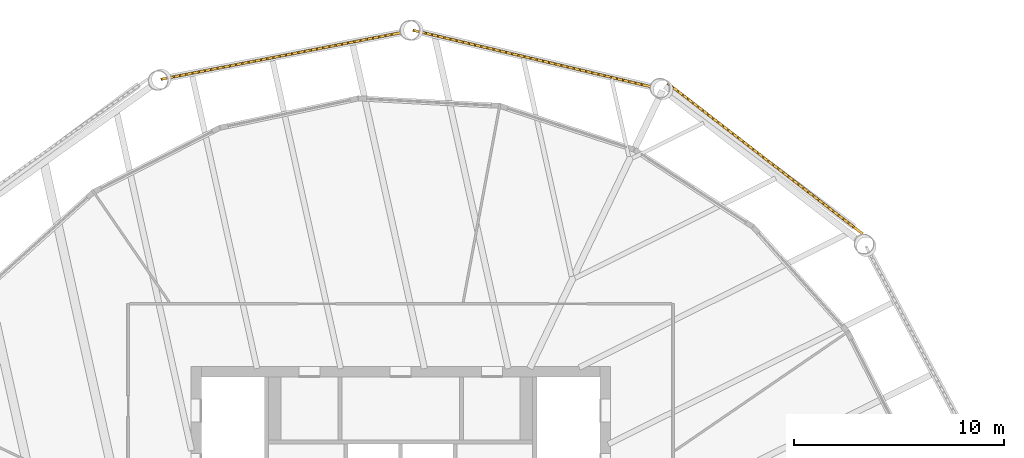
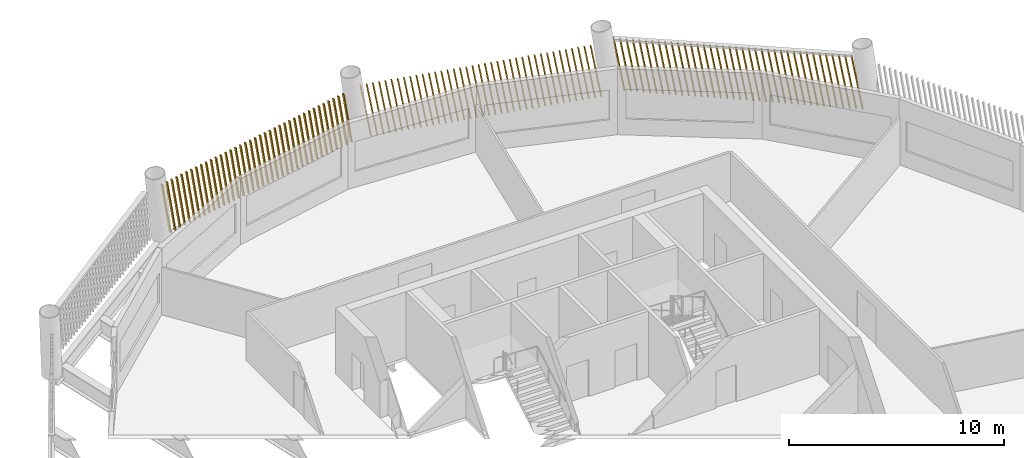
# One storey, part 13 of 14: 3 shading devices.
"""IFC4 building model written with IfcOpenShell, lengths in metres."""

from ifc_helpers import new_model, si_unit, direction, frame, frame_2d, origin, place, context, subcontext, project, spatial, rectangle, composite_profile, extrude, material, type_object, element, save


model = new_model("IFC4")

# Units and contexts
model_context = context("Model", 3, precision=1e-05, world=origin(), true_north=direction((0.0, 1.0)))
body_context = subcontext(model_context, "Body", "Model", "MODEL_VIEW")
ifc_project = project(units=[si_unit("LENGTHUNIT", "METRE"), si_unit("AREAUNIT", "SQUARE_METRE"), si_unit("VOLUMEUNIT", "CUBIC_METRE"), si_unit("PLANEANGLEUNIT", "RADIAN"), si_unit("MASSUNIT", "GRAM", prefix="KILO")], contexts=[model_context])

# Site, building, storey
site_placement = place(None, origin())
site = spatial("IfcSite", under=ifc_project, at=site_placement, CompositionType="ELEMENT")
building_placement = place(site_placement, origin())
building = spatial("IfcBuilding", under=site, at=building_placement, Name="Tarsis Ring Headquarters", CompositionType="ELEMENT")
storey_placement = place(building_placement, frame((0.0, 0.0, 335.300048828125)))
storey = spatial("IfcBuildingStorey", under=building, at=storey_placement, Name="L79", CompositionType="ELEMENT", Elevation=335.300048828125)

# Shading devices
ifc_material = material(Name="Terracotta baguette", Category="masonry")
shading_device_type = type_object("IfcShadingDeviceType", Name="Terracotta baguette screen", PredefinedType="USERDEFINED", material=ifc_material)
shading_device_1_placement = place(storey_placement, frame((22.041259765625, 19.327880859375, 0.0), z_axis=(0.0, 0.0, 1.0), x_axis=(-0.791318502442, 0.611394465545, 0.0)))
element("IfcShadingDevice", 1, at=shading_device_1_placement, inside=storey, type_object=shading_device_type, Name="Baguette screen L79-10", ObjectType="Terracotta baguette screen", PredefinedType="USERDEFINED", context=body_context, shape_type="SweptSolid", body=[
    extrude(composite_profile([rectangle(XDim=0.06005859375, YDim=0.1201171875, at=frame_2d((0.030029296875, 0.0))), rectangle(XDim=0.06005859375, YDim=0.1201171875, at=frame_2d((0.33251953125, 0.0))), rectangle(XDim=0.06005859375, YDim=0.1201171875, at=frame_2d((0.634765625, 0.0))), rectangle(XDim=0.06005859375, YDim=0.1201171875, at=frame_2d((0.937255859375, 0.0))), rectangle(XDim=0.06005859375, YDim=0.1201171875, at=frame_2d((1.239501953125, 0.0))), rectangle(XDim=0.06005859375, YDim=0.1201171875, at=frame_2d((1.5419921875, 0.0))), rectangle(XDim=0.06005859375, YDim=0.1201171875, at=frame_2d((1.844482421875, 0.0))), rectangle(XDim=0.06005859375, YDim=0.1201171875, at=frame_2d((2.146728515625, 0.0))), rectangle(XDim=0.06005859375, YDim=0.1201171875, at=frame_2d((2.44921875, 0.0))), rectangle(XDim=0.06005859375, YDim=0.1201171875, at=frame_2d((2.751708984375, 0.0))), rectangle(XDim=0.06005859375, YDim=0.1201171875, at=frame_2d((3.053955078125, 0.0))), rectangle(XDim=0.06005859375, YDim=0.1201171875, at=frame_2d((3.3564453125, 0.0))), rectangle(XDim=0.06005859375, YDim=0.1201171875, at=frame_2d((3.65869140625, 0.0))), rectangle(XDim=0.06005859375, YDim=0.1201171875, at=frame_2d((3.961181640625, 0.0))), rectangle(XDim=0.06005859375, YDim=0.1201171875, at=frame_2d((4.263671875, 0.0))), rectangle(XDim=0.06005859375, YDim=0.1201171875, at=frame_2d((4.56591796875, 0.0))), rectangle(XDim=0.06005859375, YDim=0.1201171875, at=frame_2d((4.868408203125, 0.0))), rectangle(XDim=0.06005859375, YDim=0.1201171875, at=frame_2d((5.1708984375, 0.0))), rectangle(XDim=0.06005859375, YDim=0.1201171875, at=frame_2d((5.47314453125, 0.0))), rectangle(XDim=0.06005859375, YDim=0.1201171875, at=frame_2d((5.775634765625, 0.0))), rectangle(XDim=0.06005859375, YDim=0.1201171875, at=frame_2d((6.077880859375, 0.0))), rectangle(XDim=0.06005859375, YDim=0.1201171875, at=frame_2d((6.38037109375, 0.0))), rectangle(XDim=0.06005859375, YDim=0.1201171875, at=frame_2d((6.682861328125, 0.0))), rectangle(XDim=0.06005859375, YDim=0.1201171875, at=frame_2d((6.985107421875, 0.0))), rectangle(XDim=0.06005859375, YDim=0.1201171875, at=frame_2d((7.28759765625, 0.0))), rectangle(XDim=0.06005859375, YDim=0.1201171875, at=frame_2d((7.590087890625, 0.0))), rectangle(XDim=0.06005859375, YDim=0.1201171875, at=frame_2d((7.892333984375, 0.0))), rectangle(XDim=0.06005859375, YDim=0.1201171875, at=frame_2d((8.19482421875, 0.0))), rectangle(XDim=0.06005859375, YDim=0.1201171875, at=frame_2d((8.4970703125, 0.0))), rectangle(XDim=0.06005859375, YDim=0.1201171875, at=frame_2d((8.799560546875, 0.0))), rectangle(XDim=0.06005859375, YDim=0.1201171875, at=frame_2d((9.10205078125, 0.0))), rectangle(XDim=0.06005859375, YDim=0.1201171875, at=frame_2d((9.404296875, 0.0))), rectangle(XDim=0.06005859375, YDim=0.1201171875, at=frame_2d((9.706787109375, 0.0))), rectangle(XDim=0.06005859375, YDim=0.1201171875, at=frame_2d((10.00927734375, 0.0))), rectangle(XDim=0.06005859375, YDim=0.1201171875, at=frame_2d((10.3115234375, 0.0))), rectangle(XDim=0.06005859375, YDim=0.1201171875, at=frame_2d((10.614013671875, 0.0))), rectangle(XDim=0.06005859375, YDim=0.1201171875, at=frame_2d((10.916259765625, 0.0))), rectangle(XDim=0.06005859375, YDim=0.1201171875, at=frame_2d((11.21875, 0.0)))]), origin(), (0.173292872426, 0.001570971943, 0.984869083896), 3.013427734375),
])
shading_device_2_placement = place(storey_placement, frame((12.0283203125, 26.329833984375, 0.0), z_axis=(0.0, 0.0, 1.0), x_axis=(-0.97297883885, 0.230884427564, 0.0)))
element("IfcShadingDevice", 2, at=shading_device_2_placement, inside=storey, type_object=shading_device_type, Name="Baguette screen L79-11", ObjectType="Terracotta baguette screen", PredefinedType="USERDEFINED", context=body_context, shape_type="SweptSolid", body=[
    extrude(composite_profile([rectangle(XDim=0.06005859375, YDim=0.1201171875, at=frame_2d((0.030029296875, 0.0))), rectangle(XDim=0.06005859375, YDim=0.1201171875, at=frame_2d((0.33251953125, 0.0))), rectangle(XDim=0.06005859375, YDim=0.1201171875, at=frame_2d((0.634765625, 0.0))), rectangle(XDim=0.06005859375, YDim=0.1201171875, at=frame_2d((0.937255859375, 0.0))), rectangle(XDim=0.06005859375, YDim=0.1201171875, at=frame_2d((1.239501953125, 0.0))), rectangle(XDim=0.06005859375, YDim=0.1201171875, at=frame_2d((1.5419921875, 0.0))), rectangle(XDim=0.06005859375, YDim=0.1201171875, at=frame_2d((1.844482421875, 0.0))), rectangle(XDim=0.06005859375, YDim=0.1201171875, at=frame_2d((2.146728515625, 0.0))), rectangle(XDim=0.06005859375, YDim=0.1201171875, at=frame_2d((2.44921875, 0.0))), rectangle(XDim=0.06005859375, YDim=0.1201171875, at=frame_2d((2.751708984375, 0.0))), rectangle(XDim=0.06005859375, YDim=0.1201171875, at=frame_2d((3.053955078125, 0.0))), rectangle(XDim=0.06005859375, YDim=0.1201171875, at=frame_2d((3.3564453125, 0.0))), rectangle(XDim=0.06005859375, YDim=0.1201171875, at=frame_2d((3.65869140625, 0.0))), rectangle(XDim=0.06005859375, YDim=0.1201171875, at=frame_2d((3.961181640625, 0.0))), rectangle(XDim=0.06005859375, YDim=0.1201171875, at=frame_2d((4.263671875, 0.0))), rectangle(XDim=0.06005859375, YDim=0.1201171875, at=frame_2d((4.56591796875, 0.0))), rectangle(XDim=0.06005859375, YDim=0.1201171875, at=frame_2d((4.868408203125, 0.0))), rectangle(XDim=0.06005859375, YDim=0.1201171875, at=frame_2d((5.1708984375, 0.0))), rectangle(XDim=0.06005859375, YDim=0.1201171875, at=frame_2d((5.47314453125, 0.0))), rectangle(XDim=0.06005859375, YDim=0.1201171875, at=frame_2d((5.775634765625, 0.0))), rectangle(XDim=0.06005859375, YDim=0.1201171875, at=frame_2d((6.077880859375, 0.0))), rectangle(XDim=0.06005859375, YDim=0.1201171875, at=frame_2d((6.38037109375, 0.0))), rectangle(XDim=0.06005859375, YDim=0.1201171875, at=frame_2d((6.682861328125, 0.0))), rectangle(XDim=0.06005859375, YDim=0.1201171875, at=frame_2d((6.985107421875, 0.0))), rectangle(XDim=0.06005859375, YDim=0.1201171875, at=frame_2d((7.28759765625, 0.0))), rectangle(XDim=0.06005859375, YDim=0.1201171875, at=frame_2d((7.590087890625, 0.0))), rectangle(XDim=0.06005859375, YDim=0.1201171875, at=frame_2d((7.892333984375, 0.0))), rectangle(XDim=0.06005859375, YDim=0.1201171875, at=frame_2d((8.19482421875, 0.0))), rectangle(XDim=0.06005859375, YDim=0.1201171875, at=frame_2d((8.4970703125, 0.0))), rectangle(XDim=0.06005859375, YDim=0.1201171875, at=frame_2d((8.799560546875, 0.0))), rectangle(XDim=0.06005859375, YDim=0.1201171875, at=frame_2d((9.10205078125, 0.0))), rectangle(XDim=0.06005859375, YDim=0.1201171875, at=frame_2d((9.404296875, 0.0))), rectangle(XDim=0.06005859375, YDim=0.1201171875, at=frame_2d((9.706787109375, 0.0))), rectangle(XDim=0.06005859375, YDim=0.1201171875, at=frame_2d((10.00927734375, 0.0))), rectangle(XDim=0.06005859375, YDim=0.1201171875, at=frame_2d((10.3115234375, 0.0))), rectangle(XDim=0.06005859375, YDim=0.1201171875, at=frame_2d((10.614013671875, 0.0))), rectangle(XDim=0.06005859375, YDim=0.1201171875, at=frame_2d((10.916259765625, 0.0))), rectangle(XDim=0.06005859375, YDim=0.1201171875, at=frame_2d((11.21875, 0.0)))]), origin(), (0.171101131286, 0.001554216336, 0.985252245511), 3.01220703125),
])
shading_device_3_placement = place(storey_placement, frame((0.106201171875, 28.947021484375, 0.0), z_axis=(0.0, 0.0, 1.0), x_axis=(-0.981639031166, -0.190706658564, 0.0)))
element("IfcShadingDevice", 3, at=shading_device_3_placement, inside=storey, type_object=shading_device_type, Name="Baguette screen L79-12", ObjectType="Terracotta baguette screen", PredefinedType="USERDEFINED", context=body_context, shape_type="SweptSolid", body=[
    extrude(composite_profile([rectangle(XDim=0.06005859375, YDim=0.1201171875, at=frame_2d((0.030029296875, 0.0))), rectangle(XDim=0.06005859375, YDim=0.1201171875, at=frame_2d((0.33251953125, 0.0))), rectangle(XDim=0.06005859375, YDim=0.1201171875, at=frame_2d((0.634765625, 0.0))), rectangle(XDim=0.06005859375, YDim=0.1201171875, at=frame_2d((0.937255859375, 0.0))), rectangle(XDim=0.06005859375, YDim=0.1201171875, at=frame_2d((1.239501953125, 0.0))), rectangle(XDim=0.06005859375, YDim=0.1201171875, at=frame_2d((1.5419921875, 0.0))), rectangle(XDim=0.06005859375, YDim=0.1201171875, at=frame_2d((1.844482421875, 0.0))), rectangle(XDim=0.06005859375, YDim=0.1201171875, at=frame_2d((2.146728515625, 0.0))), rectangle(XDim=0.06005859375, YDim=0.1201171875, at=frame_2d((2.44921875, 0.0))), rectangle(XDim=0.06005859375, YDim=0.1201171875, at=frame_2d((2.751708984375, 0.0))), rectangle(XDim=0.06005859375, YDim=0.1201171875, at=frame_2d((3.053955078125, 0.0))), rectangle(XDim=0.06005859375, YDim=0.1201171875, at=frame_2d((3.3564453125, 0.0))), rectangle(XDim=0.06005859375, YDim=0.1201171875, at=frame_2d((3.65869140625, 0.0))), rectangle(XDim=0.06005859375, YDim=0.1201171875, at=frame_2d((3.961181640625, 0.0))), rectangle(XDim=0.06005859375, YDim=0.1201171875, at=frame_2d((4.263671875, 0.0))), rectangle(XDim=0.06005859375, YDim=0.1201171875, at=frame_2d((4.56591796875, 0.0))), rectangle(XDim=0.06005859375, YDim=0.1201171875, at=frame_2d((4.868408203125, 0.0))), rectangle(XDim=0.06005859375, YDim=0.1201171875, at=frame_2d((5.1708984375, 0.0))), rectangle(XDim=0.06005859375, YDim=0.1201171875, at=frame_2d((5.47314453125, 0.0))), rectangle(XDim=0.06005859375, YDim=0.1201171875, at=frame_2d((5.775634765625, 0.0))), rectangle(XDim=0.06005859375, YDim=0.1201171875, at=frame_2d((6.077880859375, 0.0))), rectangle(XDim=0.06005859375, YDim=0.1201171875, at=frame_2d((6.38037109375, 0.0))), rectangle(XDim=0.06005859375, YDim=0.1201171875, at=frame_2d((6.682861328125, 0.0))), rectangle(XDim=0.06005859375, YDim=0.1201171875, at=frame_2d((6.985107421875, 0.0))), rectangle(XDim=0.06005859375, YDim=0.1201171875, at=frame_2d((7.28759765625, 0.0))), rectangle(XDim=0.06005859375, YDim=0.1201171875, at=frame_2d((7.590087890625, 0.0))), rectangle(XDim=0.06005859375, YDim=0.1201171875, at=frame_2d((7.892333984375, 0.0))), rectangle(XDim=0.06005859375, YDim=0.1201171875, at=frame_2d((8.19482421875, 0.0))), rectangle(XDim=0.06005859375, YDim=0.1201171875, at=frame_2d((8.4970703125, 0.0))), rectangle(XDim=0.06005859375, YDim=0.1201171875, at=frame_2d((8.799560546875, 0.0))), rectangle(XDim=0.06005859375, YDim=0.1201171875, at=frame_2d((9.10205078125, 0.0))), rectangle(XDim=0.06005859375, YDim=0.1201171875, at=frame_2d((9.404296875, 0.0))), rectangle(XDim=0.06005859375, YDim=0.1201171875, at=frame_2d((9.706787109375, 0.0))), rectangle(XDim=0.06005859375, YDim=0.1201171875, at=frame_2d((10.00927734375, 0.0))), rectangle(XDim=0.06005859375, YDim=0.1201171875, at=frame_2d((10.3115234375, 0.0))), rectangle(XDim=0.06005859375, YDim=0.1201171875, at=frame_2d((10.614013671875, 0.0))), rectangle(XDim=0.06005859375, YDim=0.1201171875, at=frame_2d((10.916259765625, 0.0))), rectangle(XDim=0.06005859375, YDim=0.1201171875, at=frame_2d((11.21875, 0.0)))]), origin(), (0.171100241267, 0.001551817532, 0.985252403854), 3.01220703125),
])

save(model, "model.ifc")
